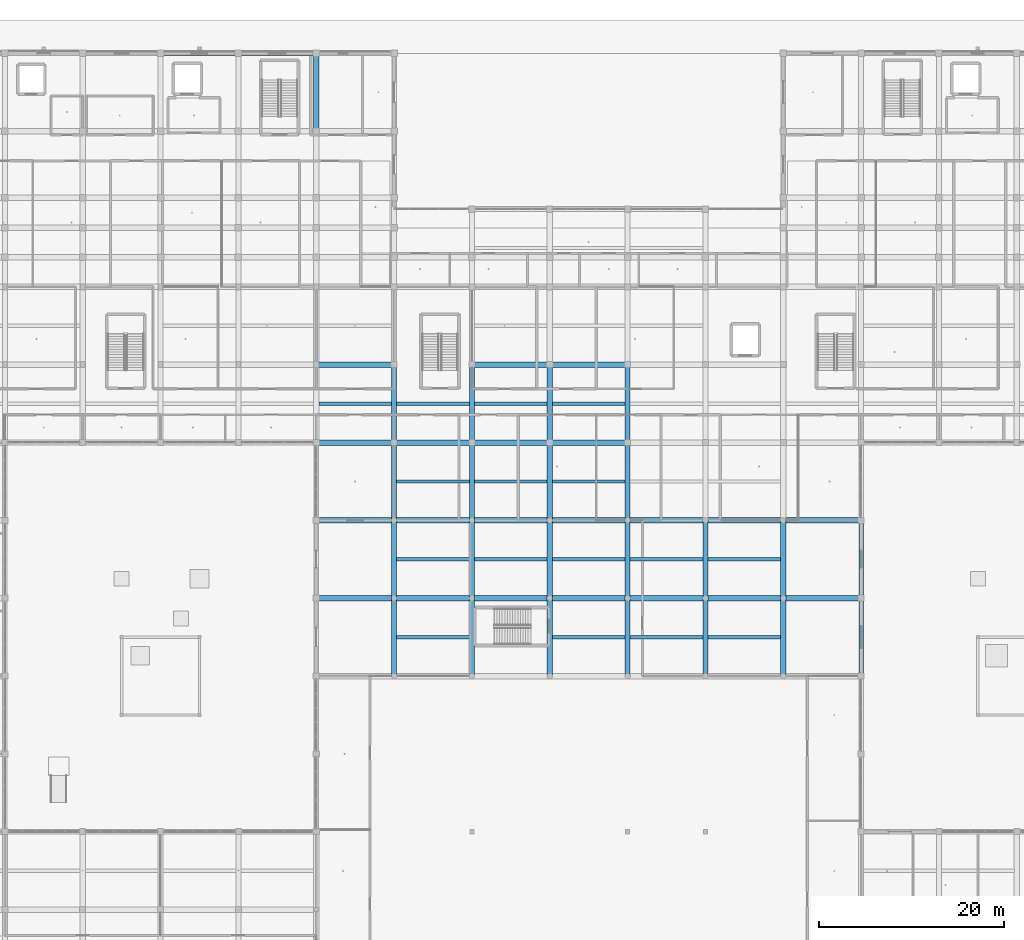
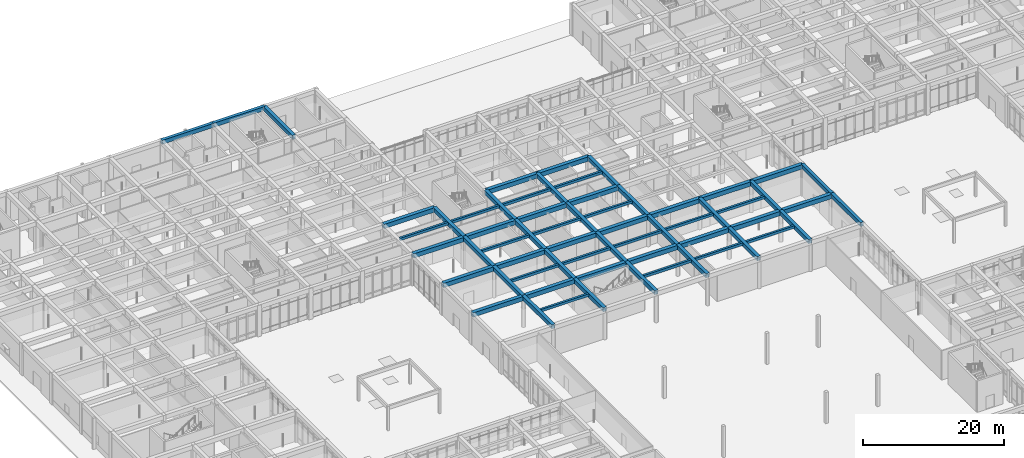
# One storey, part 30 of 167: 62 beams.
"""IFC4 building model written with IfcOpenShell, lengths in metres."""

from ifc_helpers import new_model, si_unit, direction, frame, origin, origin_2d, place, context, subcontext, project, spatial, rectangle, extrude, material, material_profile, profile_set, type_object, element, save


model = new_model("IFC4")

# Units and contexts
model_context = context("Model", 3, precision=1e-05, world=origin(), true_north=direction((0.0, 1.0)))
body_context = subcontext(model_context, "Body", "Model", "MODEL_VIEW")
ifc_project = project(units=[si_unit("LENGTHUNIT", "METRE"), si_unit("AREAUNIT", "SQUARE_METRE"), si_unit("VOLUMEUNIT", "CUBIC_METRE"), si_unit("PLANEANGLEUNIT", "RADIAN"), si_unit("MASSUNIT", "GRAM", prefix="KILO")], contexts=[model_context])

# Site, building, storey
site_placement = place(None, origin())
site = spatial("IfcSite", under=ifc_project, at=site_placement, CompositionType="ELEMENT")
building_placement = place(site_placement, origin())
building = spatial("IfcBuilding", under=site, at=building_placement, Name="Varncliffe General Hospital", CompositionType="ELEMENT")
storey_placement = place(building_placement, origin())
storey = spatial("IfcBuildingStorey", under=building, at=storey_placement, Name="L00", CompositionType="ELEMENT", Elevation=0.0)

# Beams
ifc_material = material(Name="Concrete C35/45 (CSA A23.1 35 MPa)", Category="concrete")
ifc_material_profile_1 = material_profile(ifc_material, rectangle(XDim=0.60009765625, YDim=0.75, at=origin_2d()), Name="RC 600x750")
ifc_profile_set_1 = profile_set([ifc_material_profile_1], Name="Concrete C35/45 (CSA A23.1 35 MPa)")
beam_type_1 = type_object("IfcBeamType", Name="Beam B23 (Int RC 600x750)", PredefinedType="BEAM", material=ifc_profile_set_1)
beam_1_placement = place(storey_placement, frame((58.800048828125, 66.0, 5.02490234375), z_axis=(1.0, 0.0, 0.0), x_axis=(0.0, 1.0, 0.0)))
element("IfcBeam", 1, at=beam_1_placement, inside=storey, type_object=beam_type_1, Name="L00 Primary Beam B23-89", PredefinedType="BEAM", context=body_context, shape_type="SweptSolid", body=[
    extrude(rectangle(XDim=0.60009765625, YDim=0.75, at=origin_2d()), origin(), (0.0, 0.0, 1.0), 8.39990234375),
])
beam_2_placement = place(storey_placement, frame((67.199951171875, 66.0, 5.02490234375), z_axis=(1.0, 0.0, 0.0), x_axis=(0.0, 1.0, 0.0)))
element("IfcBeam", 2, at=beam_2_placement, inside=storey, type_object=beam_type_1, Name="L00 Primary Beam B23-90", PredefinedType="BEAM", context=body_context, shape_type="SweptSolid", body=[
    extrude(rectangle(XDim=0.60009765625, YDim=0.75, at=origin_2d()), origin(), (0.0, 0.0, 1.0), 8.400146484375),
])
for number, where, z_axis, x_axis, name in (
    (3, (75.60009765625, 66.0, 5.02490234375), (1.0, 0.0, 0.0), (0.0, 1.0, 0.0), "L00 Primary Beam B23-91"),
    (4, (84.0, 66.0, 5.02490234375), (1.0, 0.0, 0.0), (0.0, 1.0, 0.0), "L00 Primary Beam B23-92"),
):
    element("IfcBeam", number, at=place(storey_placement, frame(where, z_axis=z_axis, x_axis=x_axis)), inside=storey, type_object=beam_type_1, Name=name, PredefinedType="BEAM", context=body_context, shape_type="SweptSolid", body=[
        extrude(rectangle(XDim=0.60009765625, YDim=0.75, at=origin_2d()), origin(), (0.0, 0.0, 1.0), 8.39990234375),
    ])
beam_3_placement = place(storey_placement, frame((92.39990234375, 66.0, 5.02490234375), z_axis=(1.0, 0.0, 0.0), x_axis=(0.0, 1.0, 0.0)))
element("IfcBeam", 5, at=beam_3_placement, inside=storey, type_object=beam_type_1, Name="L00 Primary Beam B23-93", PredefinedType="BEAM", context=body_context, shape_type="SweptSolid", body=[
    extrude(rectangle(XDim=0.60009765625, YDim=0.75, at=origin_2d()), origin(), (0.0, 0.0, 1.0), 8.400146484375),
])
beam_4_placement = place(storey_placement, frame((100.800048828125, 66.0, 5.02490234375), z_axis=(1.0, 0.0, 0.0), x_axis=(0.0, 1.0, 0.0)))
element("IfcBeam", 6, at=beam_4_placement, inside=storey, type_object=beam_type_1, Name="L00 Primary Beam B23-94", PredefinedType="BEAM", context=body_context, shape_type="SweptSolid", body=[
    extrude(rectangle(XDim=0.60009765625, YDim=0.75, at=origin_2d()), origin(), (0.0, 0.0, 1.0), 8.39990234375),
])
beam_5_placement = place(storey_placement, frame((109.199951171875, 66.0, 5.02490234375), z_axis=(1.0, 0.0, 0.0), x_axis=(0.0, 1.0, 0.0)))
element("IfcBeam", 7, at=beam_5_placement, inside=storey, type_object=beam_type_1, Name="L00 Primary Beam B23-95", PredefinedType="BEAM", context=body_context, shape_type="SweptSolid", body=[
    extrude(rectangle(XDim=0.60009765625, YDim=0.75, at=origin_2d()), origin(), (0.0, 0.0, 1.0), 8.400146484375),
])
beam_6_placement = place(storey_placement, frame((58.800048828125, 74.39990234375, 5.02490234375), z_axis=(1.0, 0.0, 0.0), x_axis=(0.0, 1.0, 0.0)))
element("IfcBeam", 8, at=beam_6_placement, inside=storey, type_object=beam_type_1, Name="L00 Primary Beam B23-102", PredefinedType="BEAM", context=body_context, shape_type="SweptSolid", body=[
    extrude(rectangle(XDim=0.60009765625, YDim=0.75, at=origin_2d()), origin(), (0.0, 0.0, 1.0), 8.39990234375),
])
beam_7_placement = place(storey_placement, frame((67.199951171875, 74.39990234375, 5.02490234375), z_axis=(1.0, 0.0, 0.0), x_axis=(0.0, 1.0, 0.0)))
element("IfcBeam", 9, at=beam_7_placement, inside=storey, type_object=beam_type_1, Name="L00 Primary Beam B23-103", PredefinedType="BEAM", context=body_context, shape_type="SweptSolid", body=[
    extrude(rectangle(XDim=0.60009765625, YDim=0.75, at=origin_2d()), origin(), (0.0, 0.0, 1.0), 8.400146484375),
])
for number, where, z_axis, x_axis, name in (
    (10, (75.60009765625, 74.39990234375, 5.02490234375), (1.0, 0.0, 0.0), (0.0, 1.0, 0.0), "L00 Primary Beam B23-104"),
    (11, (84.0, 74.39990234375, 5.02490234375), (1.0, 0.0, 0.0), (0.0, 1.0, 0.0), "L00 Primary Beam B23-105"),
):
    element("IfcBeam", number, at=place(storey_placement, frame(where, z_axis=z_axis, x_axis=x_axis)), inside=storey, type_object=beam_type_1, Name=name, PredefinedType="BEAM", context=body_context, shape_type="SweptSolid", body=[
        extrude(rectangle(XDim=0.60009765625, YDim=0.75, at=origin_2d()), origin(), (0.0, 0.0, 1.0), 8.39990234375),
    ])
beam_8_placement = place(storey_placement, frame((92.39990234375, 74.39990234375, 5.02490234375), z_axis=(1.0, 0.0, 0.0), x_axis=(0.0, 1.0, 0.0)))
element("IfcBeam", 12, at=beam_8_placement, inside=storey, type_object=beam_type_1, Name="L00 Primary Beam B23-106", PredefinedType="BEAM", context=body_context, shape_type="SweptSolid", body=[
    extrude(rectangle(XDim=0.60009765625, YDim=0.75, at=origin_2d()), origin(), (0.0, 0.0, 1.0), 8.400146484375),
])
beam_9_placement = place(storey_placement, frame((100.800048828125, 74.39990234375, 5.02490234375), z_axis=(1.0, 0.0, 0.0), x_axis=(0.0, 1.0, 0.0)))
element("IfcBeam", 13, at=beam_9_placement, inside=storey, type_object=beam_type_1, Name="L00 Primary Beam B23-107", PredefinedType="BEAM", context=body_context, shape_type="SweptSolid", body=[
    extrude(rectangle(XDim=0.60009765625, YDim=0.75, at=origin_2d()), origin(), (0.0, 0.0, 1.0), 8.39990234375),
])
beam_10_placement = place(storey_placement, frame((109.199951171875, 74.39990234375, 5.02490234375), z_axis=(1.0, 0.0, 0.0), x_axis=(0.0, 1.0, 0.0)))
element("IfcBeam", 14, at=beam_10_placement, inside=storey, type_object=beam_type_1, Name="L00 Primary Beam B23-108", PredefinedType="BEAM", context=body_context, shape_type="SweptSolid", body=[
    extrude(rectangle(XDim=0.60009765625, YDim=0.75, at=origin_2d()), origin(), (0.0, 0.0, 1.0), 8.400146484375),
])
beam_11_placement = place(storey_placement, frame((58.800048828125, 82.800048828125, 5.02490234375), z_axis=(1.0, 0.0, 0.0), x_axis=(0.0, 1.0, 0.0)))
element("IfcBeam", 15, at=beam_11_placement, inside=storey, type_object=beam_type_1, Name="L00 Primary Beam B23-119", PredefinedType="BEAM", context=body_context, shape_type="SweptSolid", body=[
    extrude(rectangle(XDim=0.60009765625, YDim=0.75, at=origin_2d()), origin(), (0.0, 0.0, 1.0), 8.39990234375),
])
beam_12_placement = place(storey_placement, frame((67.199951171875, 82.800048828125, 5.02490234375), z_axis=(1.0, 0.0, 0.0), x_axis=(0.0, 1.0, 0.0)))
element("IfcBeam", 16, at=beam_12_placement, inside=storey, type_object=beam_type_1, Name="L00 Primary Beam B23-120", PredefinedType="BEAM", context=body_context, shape_type="SweptSolid", body=[
    extrude(rectangle(XDim=0.60009765625, YDim=0.75, at=origin_2d()), origin(), (0.0, 0.0, 1.0), 8.400146484375),
])
for number, where, z_axis, x_axis, name in (
    (17, (75.60009765625, 82.800048828125, 5.02490234375), (1.0, 0.0, 0.0), (0.0, 1.0, 0.0), "L00 Primary Beam B23-121"),
    (18, (84.0, 82.800048828125, 5.02490234375), (1.0, 0.0, 0.0), (0.0, 1.0, 0.0), "L00 Primary Beam B23-122"),
    (19, (58.800048828125, 91.199951171875, 5.02490234375), (1.0, 0.0, 0.0), (0.0, 1.0, 0.0), "L00 Primary Beam B23-139"),
    (20, (75.60009765625, 91.199951171875, 5.02490234375), (1.0, 0.0, 0.0), (0.0, 1.0, 0.0), "L00 Primary Beam B23-140"),
    (21, (84.0, 91.199951171875, 5.02490234375), (1.0, 0.0, 0.0), (0.0, 1.0, 0.0), "L00 Primary Beam B23-141"),
):
    element("IfcBeam", number, at=place(storey_placement, frame(where, z_axis=z_axis, x_axis=x_axis)), inside=storey, type_object=beam_type_1, Name=name, PredefinedType="BEAM", context=body_context, shape_type="SweptSolid", body=[
        extrude(rectangle(XDim=0.60009765625, YDim=0.75, at=origin_2d()), origin(), (0.0, 0.0, 1.0), 8.39990234375),
    ])
ifc_material_profile_2 = material_profile(ifc_material, rectangle(XDim=0.550048828125, YDim=0.699951171875, at=origin_2d()), Name="RC 550x700")
ifc_profile_set_2 = profile_set([ifc_material_profile_2], Name="Concrete C35/45 (CSA A23.1 35 MPa)")
beam_type_2 = type_object("IfcBeamType", Name="Beam B35 (Int RC 550x700)", PredefinedType="BEAM", material=ifc_profile_set_2)
beam_13_placement = place(storey_placement, frame((58.800048828125, 116.39990234375, 5.050048828125), z_axis=(0.0, 1.0, 0.0), x_axis=(-1.0, 0.0, 0.0)))
element("IfcBeam", 22, at=beam_13_placement, inside=storey, type_object=beam_type_2, Name="L00 Primary Beam B35-367", PredefinedType="BEAM", context=body_context, shape_type="SweptSolid", body=[
    extrude(rectangle(XDim=0.550048828125, YDim=0.699951171875, at=origin_2d()), origin(), (0.0, 0.0, 1.0), 8.400146484375),
])
for number, where, z_axis, x_axis, name in (
    (23, (67.199951171875, 57.60009765625, 5.050048828125), (0.0, 1.0, 0.0), (-1.0, 0.0, 0.0), "L00 Primary Beam B35-368"),
    (24, (67.199951171875, 66.0, 5.050048828125), (0.0, 1.0, 0.0), (-1.0, 0.0, 0.0), "L00 Primary Beam B35-369"),
):
    element("IfcBeam", number, at=place(storey_placement, frame(where, z_axis=z_axis, x_axis=x_axis)), inside=storey, type_object=beam_type_2, Name=name, PredefinedType="BEAM", context=body_context, shape_type="SweptSolid", body=[
        extrude(rectangle(XDim=0.550048828125, YDim=0.699951171875, at=origin_2d()), origin(), (0.0, 0.0, 1.0), 8.39990234375),
    ])
beam_14_placement = place(storey_placement, frame((67.199951171875, 74.39990234375, 5.050048828125), z_axis=(0.0, 1.0, 0.0), x_axis=(-1.0, 0.0, 0.0)))
element("IfcBeam", 25, at=beam_14_placement, inside=storey, type_object=beam_type_2, Name="L00 Primary Beam B35-370", PredefinedType="BEAM", context=body_context, shape_type="SweptSolid", body=[
    extrude(rectangle(XDim=0.550048828125, YDim=0.699951171875, at=origin_2d()), origin(), (0.0, 0.0, 1.0), 8.400146484375),
])
for number, where, z_axis, x_axis, name in (
    (26, (67.199951171875, 82.800048828125, 5.050048828125), (0.0, 1.0, 0.0), (-1.0, 0.0, 0.0), "L00 Primary Beam B35-371"),
    (27, (75.60009765625, 57.60009765625, 5.050048828125), (0.0, 1.0, 0.0), (-1.0, 0.0, 0.0), "L00 Primary Beam B35-378"),
    (28, (75.60009765625, 66.0, 5.050048828125), (0.0, 1.0, 0.0), (-1.0, 0.0, 0.0), "L00 Primary Beam B35-379"),
):
    element("IfcBeam", number, at=place(storey_placement, frame(where, z_axis=z_axis, x_axis=x_axis)), inside=storey, type_object=beam_type_2, Name=name, PredefinedType="BEAM", context=body_context, shape_type="SweptSolid", body=[
        extrude(rectangle(XDim=0.550048828125, YDim=0.699951171875, at=origin_2d()), origin(), (0.0, 0.0, 1.0), 8.39990234375),
    ])
beam_15_placement = place(storey_placement, frame((75.60009765625, 74.39990234375, 5.050048828125), z_axis=(0.0, 1.0, 0.0), x_axis=(-1.0, 0.0, 0.0)))
element("IfcBeam", 29, at=beam_15_placement, inside=storey, type_object=beam_type_2, Name="L00 Primary Beam B35-380", PredefinedType="BEAM", context=body_context, shape_type="SweptSolid", body=[
    extrude(rectangle(XDim=0.550048828125, YDim=0.699951171875, at=origin_2d()), origin(), (0.0, 0.0, 1.0), 8.400146484375),
])
for number, where, z_axis, x_axis, name in (
    (30, (75.60009765625, 82.800048828125, 5.050048828125), (0.0, 1.0, 0.0), (-1.0, 0.0, 0.0), "L00 Primary Beam B35-381"),
    (31, (84.0, 57.60009765625, 5.050048828125), (0.0, 1.0, 0.0), (-1.0, 0.0, 0.0), "L00 Primary Beam B35-385"),
    (32, (84.0, 66.0, 5.050048828125), (0.0, 1.0, 0.0), (-1.0, 0.0, 0.0), "L00 Primary Beam B35-386"),
):
    element("IfcBeam", number, at=place(storey_placement, frame(where, z_axis=z_axis, x_axis=x_axis)), inside=storey, type_object=beam_type_2, Name=name, PredefinedType="BEAM", context=body_context, shape_type="SweptSolid", body=[
        extrude(rectangle(XDim=0.550048828125, YDim=0.699951171875, at=origin_2d()), origin(), (0.0, 0.0, 1.0), 8.39990234375),
    ])
beam_16_placement = place(storey_placement, frame((84.0, 74.39990234375, 5.050048828125), z_axis=(0.0, 1.0, 0.0), x_axis=(-1.0, 0.0, 0.0)))
element("IfcBeam", 33, at=beam_16_placement, inside=storey, type_object=beam_type_2, Name="L00 Primary Beam B35-387", PredefinedType="BEAM", context=body_context, shape_type="SweptSolid", body=[
    extrude(rectangle(XDim=0.550048828125, YDim=0.699951171875, at=origin_2d()), origin(), (0.0, 0.0, 1.0), 8.400146484375),
])
for number, where, z_axis, x_axis, name in (
    (34, (84.0, 82.800048828125, 5.050048828125), (0.0, 1.0, 0.0), (-1.0, 0.0, 0.0), "L00 Primary Beam B35-388"),
    (35, (92.39990234375, 57.60009765625, 5.050048828125), (0.0, 1.0, 0.0), (-1.0, 0.0, 0.0), "L00 Primary Beam B35-392"),
    (36, (92.39990234375, 66.0, 5.050048828125), (0.0, 1.0, 0.0), (-1.0, 0.0, 0.0), "L00 Primary Beam B35-393"),
):
    element("IfcBeam", number, at=place(storey_placement, frame(where, z_axis=z_axis, x_axis=x_axis)), inside=storey, type_object=beam_type_2, Name=name, PredefinedType="BEAM", context=body_context, shape_type="SweptSolid", body=[
        extrude(rectangle(XDim=0.550048828125, YDim=0.699951171875, at=origin_2d()), origin(), (0.0, 0.0, 1.0), 8.39990234375),
    ])
beam_17_placement = place(storey_placement, frame((92.39990234375, 74.39990234375, 5.050048828125), z_axis=(0.0, 1.0, 0.0), x_axis=(-1.0, 0.0, 0.0)))
element("IfcBeam", 37, at=beam_17_placement, inside=storey, type_object=beam_type_2, Name="L00 Primary Beam B35-394", PredefinedType="BEAM", context=body_context, shape_type="SweptSolid", body=[
    extrude(rectangle(XDim=0.550048828125, YDim=0.699951171875, at=origin_2d()), origin(), (0.0, 0.0, 1.0), 8.400146484375),
])
for number, where, z_axis, x_axis, name in (
    (38, (92.39990234375, 82.800048828125, 5.050048828125), (0.0, 1.0, 0.0), (-1.0, 0.0, 0.0), "L00 Primary Beam B35-395"),
    (39, (100.800048828125, 57.60009765625, 5.050048828125), (0.0, 1.0, 0.0), (-1.0, 0.0, 0.0), "L00 Primary Beam B35-399"),
    (40, (100.800048828125, 66.0, 5.050048828125), (0.0, 1.0, 0.0), (-1.0, 0.0, 0.0), "L00 Primary Beam B35-400"),
    (41, (109.199951171875, 57.60009765625, 5.050048828125), (0.0, 1.0, 0.0), (-1.0, 0.0, 0.0), "L00 Primary Beam B35-406"),
    (42, (109.199951171875, 66.0, 5.050048828125), (0.0, 1.0, 0.0), (-1.0, 0.0, 0.0), "L00 Primary Beam B35-407"),
):
    element("IfcBeam", number, at=place(storey_placement, frame(where, z_axis=z_axis, x_axis=x_axis)), inside=storey, type_object=beam_type_2, Name=name, PredefinedType="BEAM", context=body_context, shape_type="SweptSolid", body=[
        extrude(rectangle(XDim=0.550048828125, YDim=0.699951171875, at=origin_2d()), origin(), (0.0, 0.0, 1.0), 8.39990234375),
    ])
ifc_material_profile_3 = material_profile(ifc_material, rectangle(XDim=0.35009765625, YDim=0.449951171875, at=origin_2d()), Name="RC 350x450")
ifc_profile_set_3 = profile_set([ifc_material_profile_3], Name="Concrete C35/45 (CSA A23.1 35 MPa)")
beam_type_3 = type_object("IfcBeamType", Name="Joist J55 (Int RC 350x450)", PredefinedType="JOIST", material=ifc_profile_set_3)
for number, where, z_axis, x_axis, name in (
    (43, (59.072998046875, 87.0, 5.175048828125), (1.0, 0.0, 0.0), (0.0, 1.0, 0.0), "L00 Secondary Floor Rib J55-29"),
    (44, (67.472900390625, 61.800048828125, 5.175048828125), (1.0, 0.0, 0.0), (0.0, 1.0, 0.0), "L00 Secondary Floor Rib J55-31"),
    (45, (67.472900390625, 70.199951171875, 5.175048828125), (1.0, 0.0, 0.0), (0.0, 1.0, 0.0), "L00 Secondary Floor Rib J55-32"),
    (46, (67.472900390625, 78.60009765625, 5.175048828125), (1.0, 0.0, 0.0), (0.0, 1.0, 0.0), "L00 Secondary Floor Rib J55-33"),
    (47, (67.472900390625, 87.0, 5.175048828125), (1.0, 0.0, 0.0), (0.0, 1.0, 0.0), "L00 Secondary Floor Rib J55-34"),
    (48, (75.873046875, 70.199951171875, 5.175048828125), (1.0, 0.0, 0.0), (0.0, 1.0, 0.0), "L00 Secondary Floor Rib J55-35"),
    (49, (75.873046875, 78.60009765625, 5.175048828125), (1.0, 0.0, 0.0), (0.0, 1.0, 0.0), "L00 Secondary Floor Rib J55-36"),
    (50, (75.873046875, 87.0, 5.175048828125), (1.0, 0.0, 0.0), (0.0, 1.0, 0.0), "L00 Secondary Floor Rib J55-37"),
    (51, (84.27294921875, 61.800048828125, 5.175048828125), (1.0, 0.0, 0.0), (0.0, 1.0, 0.0), "L00 Secondary Floor Rib J55-40"),
    (52, (84.27294921875, 70.199951171875, 5.175048828125), (1.0, 0.0, 0.0), (0.0, 1.0, 0.0), "L00 Secondary Floor Rib J55-41"),
    (53, (84.27294921875, 78.60009765625, 5.175048828125), (1.0, 0.0, 0.0), (0.0, 1.0, 0.0), "L00 Secondary Floor Rib J55-42"),
    (54, (84.27294921875, 87.0, 5.175048828125), (1.0, 0.0, 0.0), (0.0, 1.0, 0.0), "L00 Secondary Floor Rib J55-43"),
    (55, (92.673095703125, 61.800048828125, 5.175048828125), (1.0, 0.0, 0.0), (0.0, 1.0, 0.0), "L00 Secondary Floor Rib J55-46"),
    (56, (92.673095703125, 70.199951171875, 5.175048828125), (1.0, 0.0, 0.0), (0.0, 1.0, 0.0), "L00 Secondary Floor Rib J55-47"),
    (57, (101.072998046875, 61.800048828125, 5.175048828125), (1.0, 0.0, 0.0), (0.0, 1.0, 0.0), "L00 Secondary Floor Rib J55-52"),
    (58, (101.072998046875, 70.199951171875, 5.175048828125), (1.0, 0.0, 0.0), (0.0, 1.0, 0.0), "L00 Secondary Floor Rib J55-53"),
):
    element("IfcBeam", number, at=place(storey_placement, frame(where, z_axis=z_axis, x_axis=x_axis)), inside=storey, type_object=beam_type_3, Name=name, PredefinedType="JOIST", context=body_context, shape_type="SweptSolid", body=[
        extrude(rectangle(XDim=0.35009765625, YDim=0.449951171875, at=origin_2d()), origin(), (0.0, 0.0, 1.0), 7.85400390625),
    ])
ifc_material_profile_4 = material_profile(ifc_material, rectangle(XDim=0.5, YDim=0.699951171875, at=origin_2d()), Name="RC 500x700")
ifc_profile_set_4 = profile_set([ifc_material_profile_4], Name="Concrete C35/45 (CSA A23.1 35 MPa)")
beam_type_4 = type_object("IfcBeamType", Name="Spandrel SP19 (Ext RC 500x700)", PredefinedType="SPANDREL", material=ifc_profile_set_4)
beam_18_placement = place(storey_placement, frame((42.0, 124.800048828125, 5.050048828125), z_axis=(1.0, 0.0, 0.0), x_axis=(0.0, 1.0, 0.0)))
element("IfcBeam", 59, at=beam_18_placement, inside=storey, type_object=beam_type_4, Name="L00 Spandrel Beam SP19-248", PredefinedType="SPANDREL", context=body_context, shape_type="SweptSolid", body=[
    extrude(rectangle(XDim=0.5, YDim=0.699951171875, at=origin_2d()), origin(), (0.0, 0.0, 1.0), 8.39990234375),
])
beam_19_placement = place(storey_placement, frame((50.39990234375, 124.800048828125, 5.050048828125), z_axis=(1.0, 0.0, 0.0), x_axis=(0.0, 1.0, 0.0)))
element("IfcBeam", 60, at=beam_19_placement, inside=storey, type_object=beam_type_4, Name="L00 Spandrel Beam SP19-249", PredefinedType="SPANDREL", context=body_context, shape_type="SweptSolid", body=[
    extrude(rectangle(XDim=0.5, YDim=0.699951171875, at=origin_2d()), origin(), (0.0, 0.0, 1.0), 8.400146484375),
])
for number, where, z_axis, x_axis, name in (
    (61, (117.60009765625, 57.60009765625, 5.050048828125), (0.0, 1.0, 0.0), (-1.0, 0.0, 0.0), "L00 Spandrel Beam SP19-422"),
    (62, (117.60009765625, 66.0, 5.050048828125), (0.0, 1.0, 0.0), (-1.0, 0.0, 0.0), "L00 Spandrel Beam SP19-423"),
):
    element("IfcBeam", number, at=place(storey_placement, frame(where, z_axis=z_axis, x_axis=x_axis)), inside=storey, type_object=beam_type_4, Name=name, PredefinedType="SPANDREL", context=body_context, shape_type="SweptSolid", body=[
        extrude(rectangle(XDim=0.5, YDim=0.699951171875, at=origin_2d()), origin(), (0.0, 0.0, 1.0), 8.39990234375),
    ])

save(model, "model.ifc")
